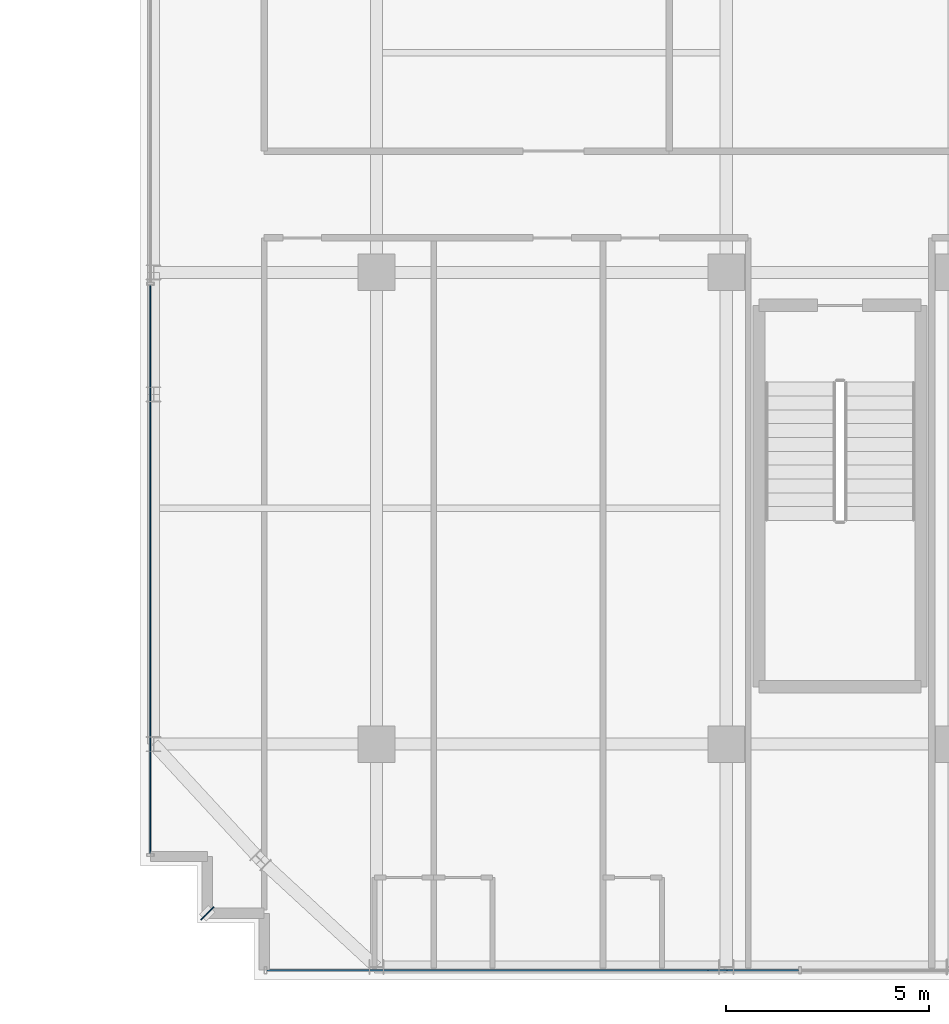
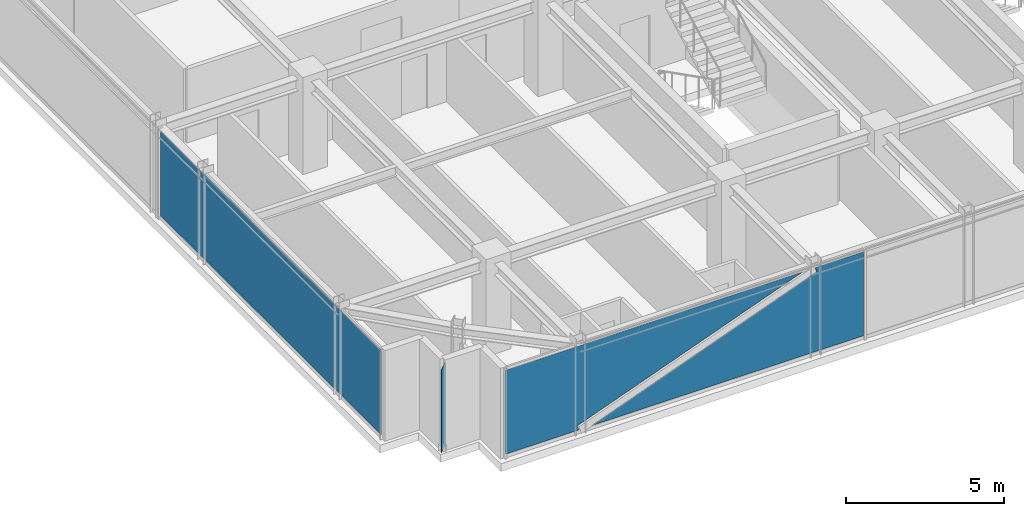
# One storey, part 25 of 36: 3 plates, 2 elements without a shape of their own.
"""IFC4 building model written with IfcOpenShell, lengths in metres."""

from ifc_helpers import new_model, si_unit, direction, frame, origin, origin_2d, place, context, subcontext, project, spatial, polyline, rectangle, outline, extrude, source, transform, mapped, material, layer, layer_set, type_object, element, aggregate, save


model = new_model("IFC4")

# Units and contexts
model_context = context("Model", 3, precision=1e-05, world=origin(), true_north=direction((0.0, 1.0)))
body_context = subcontext(model_context, "Body", "Model", "MODEL_VIEW")
ifc_project = project(units=[si_unit("LENGTHUNIT", "METRE"), si_unit("AREAUNIT", "SQUARE_METRE"), si_unit("VOLUMEUNIT", "CUBIC_METRE"), si_unit("PLANEANGLEUNIT", "RADIAN"), si_unit("MASSUNIT", "GRAM", prefix="KILO")], contexts=[model_context])

# Site, building, storey
site_placement = place(None, origin())
site = spatial("IfcSite", under=ifc_project, at=site_placement, CompositionType="ELEMENT")
building_placement = place(site_placement, origin())
building = spatial("IfcBuilding", under=site, at=building_placement, Name="Nahalor Promenade Grand Hotel", CompositionType="ELEMENT")
storey_placement = place(building_placement, frame((0.0, 0.0, 319.550048828125)))
storey = spatial("IfcBuildingStorey", under=building, at=storey_placement, Name="L82", CompositionType="ELEMENT", Elevation=319.550048828125)

# Curtain wall, plate
ifc_material_1 = material(Name="Anodised Bronze Aluminium EN AW-6063 T6", Category="aluminium")
curtain_wall_type = type_object("IfcCurtainWallType", Name="CW2 Typical Hotel Flush Bronze Unitised Curtain Wall", PredefinedType="USERDEFINED", material=ifc_material_1)
curtain_wall_1_placement = place(storey_placement, origin())
curtain_wall_1 = element("IfcCurtainWall", 1, at=curtain_wall_1_placement, inside=storey, type_object=curtain_wall_type, Name="L82 Curtain Wall CW-L82-S-1", ObjectType="UNITISED_CURTAIN_WALL", PredefinedType="USERDEFINED")
ifc_material_2 = material(Name="Low-E Laminated Solar Glass", Category="glass")
ifc_layer_1 = layer(ifc_material_2, 0.028076171875)
ifc_layer_set_1 = layer_set([ifc_layer_1], Name="Low-E Laminated Solar Glass")
plate_type_1 = type_object("IfcPlateType", Name="CWP2 Bronze Low-E Vision IGU 28mm", PredefinedType="CURTAIN_PANEL", material=ifc_layer_set_1)
plate_1_placement = place(storey_placement, frame((-13.156982421875, -22.56005859375, 0.1298828125), z_axis=(0.0, 0.0, 1.0), x_axis=(1.0, 0.0, 0.0)))
plate_1 = element("IfcPlate", 2, at=plate_1_placement, type_object=plate_type_1, Name="CW-L82-S-1 Glazing Panel 0-0", PredefinedType="CURTAIN_PANEL", context=body_context, shape_type="SweptSolid", body=[
    extrude(outline(polyline([(-6.537841796875, 3.239990234375), (-6.537841796875, 0.0), (-3.862060546875, 0.0), (-3.927490234375, 0.17529296875), (4.30908203125, 3.239990234375), (-6.537841796875, 3.239990234375)])), frame((0.0, 0.01416015625, 0.0), z_axis=(0.0, -1.0, 0.0), x_axis=(1.0, 0.0, 0.0)), (0.0, 0.0, 1.0), 0.028076171875),
    extrude(outline(polyline([(6.537841796875, 0.0), (6.537841796875, 3.239990234375), (4.7763671875, 3.239990234375), (4.841552734375, 3.064697265625), (-3.394775390625, 0.0), (6.537841796875, 0.0)])), frame((0.0, 0.01416015625, 0.0), z_axis=(0.0, -1.0, 0.0), x_axis=(1.0, 0.0, 0.0)), (0.0, 0.0, 1.0), 0.028076171875),
])
aggregate(curtain_wall_1, [plate_1])

# Plate
ifc_layer_2 = layer(ifc_material_1, 0.02001953125)
ifc_layer_set_2 = layer_set([ifc_layer_2], Name="Anodised Bronze Aluminium EN AW-6063 T6")
plate_type_2 = type_object("IfcPlateType", Name="Plate-CornerFin-20", PredefinedType="SHEET", material=ifc_layer_set_2)
shared_shape_1 = source(origin(), body_context, "Body", "SweptSolid", [
    extrude(rectangle(XDim=0.449951171875, YDim=0.02001953125, at=origin_2d()), origin(), (0.0, 0.0, 1.0), 3.199951171875),
])
plate_2_placement = place(storey_placement, frame((-21.159912109375, -21.159912109375, 0.0), z_axis=(0.0, 0.0, 1.0), x_axis=(0.707106781187, 0.707106781187, 0.0)))
element("IfcPlate", 3, at=plate_2_placement, inside=storey, type_object=plate_type_2, Name="FIN-L82-SW", PredefinedType="SHEET", context=body_context, shape_type="MappedRepresentation", body=[
    mapped(shared_shape_1, transform((0.0, 0.0, 0.0), scale=1.0)),
])

# Curtain wall, plate
curtain_wall_2_placement = place(storey_placement, origin())
curtain_wall_2 = element("IfcCurtainWall", 4, at=curtain_wall_2_placement, inside=storey, type_object=curtain_wall_type, Name="L82 Curtain Wall CW-L82-W-1", ObjectType="UNITISED_CURTAIN_WALL", PredefinedType="USERDEFINED")
shared_shape_2 = source(origin(), body_context, "Body", "SweptSolid", [
    extrude(rectangle(XDim=13.982421875, YDim=0.028076171875, at=origin_2d()), origin(), (0.0, 0.0, 1.0), 3.239990234375),
])
plate_3_placement = place(storey_placement, frame((-22.56005859375, -12.703857421875, 0.1298828125), z_axis=(0.0, 0.0, 1.0), x_axis=(0.0, 1.0, 0.0)))
plate_3 = element("IfcPlate", 5, at=plate_3_placement, type_object=plate_type_1, Name="CW-L82-W-1 Glazing Panel 0-0", PredefinedType="CURTAIN_PANEL", context=body_context, shape_type="MappedRepresentation", body=[
    mapped(shared_shape_2, transform((0.0, 0.0, 0.0), scale=1.0)),
])
aggregate(curtain_wall_2, [plate_3])

save(model, "model.ifc")
